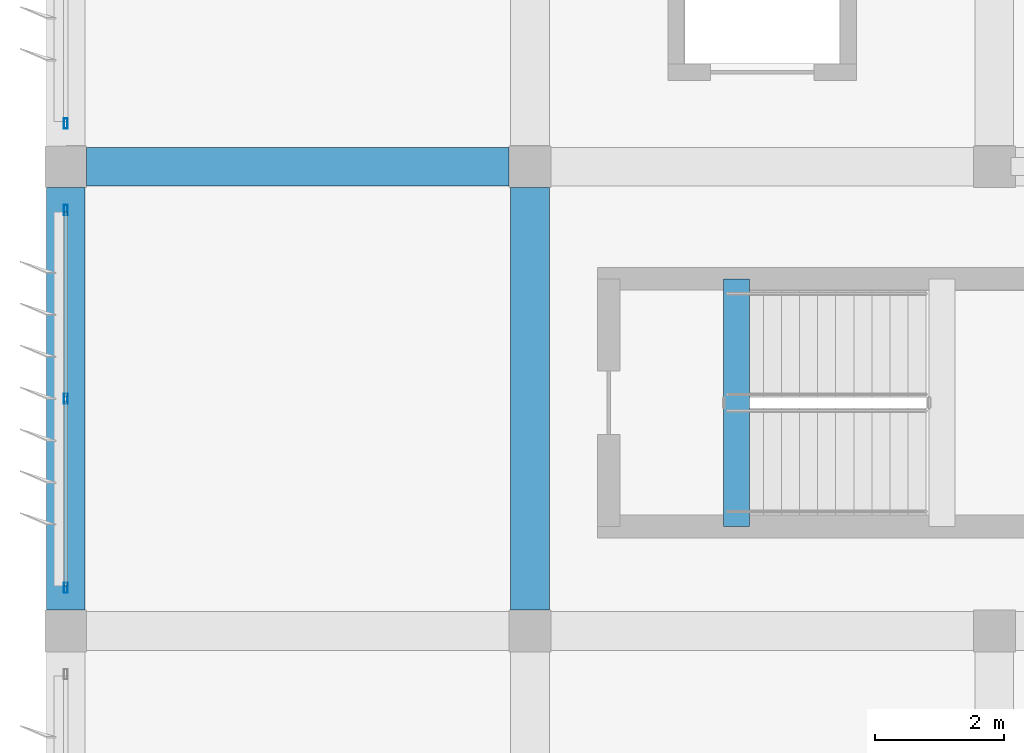
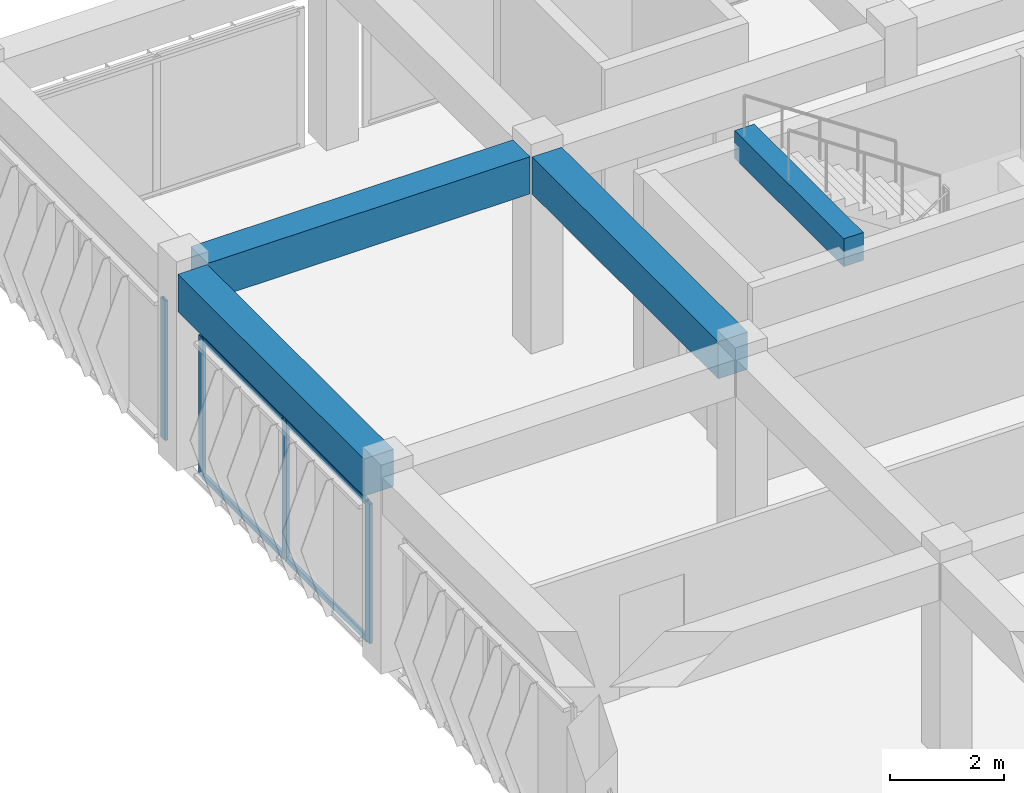
# One storey, part 11 of 56: 8 members, 4 beams, 2 elements without a shape of their own.
"""IFC4 building model written with IfcOpenShell, lengths in metres."""

from ifc_helpers import new_model, si_unit, direction, frame, origin, origin_2d, place, context, subcontext, project, spatial, rectangle, hollow_rectangle, extrude, material, material_profile, profile_set, type_object, element, aggregate, save


model = new_model("IFC4")

# Units and contexts
model_context = context("Model", 3, precision=1e-05, world=origin(), true_north=direction((0.0, 1.0)))
body_context = subcontext(model_context, "Body", "Model", "MODEL_VIEW")
ifc_project = project(units=[si_unit("LENGTHUNIT", "METRE"), si_unit("AREAUNIT", "SQUARE_METRE"), si_unit("VOLUMEUNIT", "CUBIC_METRE"), si_unit("PLANEANGLEUNIT", "RADIAN"), si_unit("MASSUNIT", "GRAM", prefix="KILO")], contexts=[model_context])

# Site, building, storey
site_placement = place(None, origin())
site = spatial("IfcSite", under=ifc_project, at=site_placement, CompositionType="ELEMENT")
building_placement = place(site_placement, origin())
building = spatial("IfcBuilding", under=site, at=building_placement, Name="Kazehaya Institute of Natural Sciences", CompositionType="ELEMENT")
storey_placement = place(building_placement, frame((0.0, 0.0, 28.800048828125)))
storey = spatial("IfcBuildingStorey", under=building, at=storey_placement, Name="L06", CompositionType="ELEMENT", Elevation=28.800048828125)

# Beams
ifc_material_1 = material(Name="Concrete Fc36", Category="concrete")
ifc_material_profile_1 = material_profile(ifc_material_1, rectangle(XDim=0.39990234375, YDim=0.60009765625, at=origin_2d()), Name="RC-400x600")
ifc_profile_set_1 = profile_set([ifc_material_profile_1], Name="Concrete Fc36")
beam_type_1 = type_object("IfcBeamType", Name="BM-B-400x600", PredefinedType="BEAM", material=ifc_profile_set_1)
beam_placement = place(storey_placement, frame((65.0, 22.820068359375, 4.199951171875), z_axis=(0.0, 1.0, 0.0), x_axis=(-1.0, 0.0, 0.0)))
element("IfcBeam", 1, at=beam_placement, inside=storey, type_object=beam_type_1, Name="L07 ST-1 stair header trimmer beam", PredefinedType="BEAM", context=body_context, shape_type="SweptSolid", body=[
    extrude(rectangle(XDim=0.39990234375, YDim=0.60009765625, at=origin_2d()), origin(), (0.0, 0.0, 1.0), 3.83984375),
])
ifc_material_profile_2 = material_profile(ifc_material_1, rectangle(XDim=0.60009765625, YDim=0.800048828125, at=origin_2d()), Name="RC-600x800")
ifc_profile_set_2 = profile_set([ifc_material_profile_2], Name="Concrete Fc36")
beam_type_2 = type_object("IfcBeamType", Name="BM-G-600x800", PredefinedType="BEAM", material=ifc_profile_set_2)
for number, where, z_axis, x_axis, name in (
    (2, (54.925048828125, 28.39990234375, 3.829833984375), (1.0, 0.0, 0.0), (0.0, 1.0, 0.0), "L06 primary X girder BMX-L06-546-284"),
    (3, (54.60009765625, 21.52490234375, 3.829833984375), (0.0, 1.0, 0.0), (-1.0, 0.0, 0.0), "L06 primary Y girder BMY-L06-546-212"),
    (4, (61.800048828125, 21.52490234375, 3.829833984375), (0.0, 1.0, 0.0), (-1.0, 0.0, 0.0), "L06 primary Y girder BMY-L06-618-212"),
):
    element("IfcBeam", number, at=place(storey_placement, frame(where, z_axis=z_axis, x_axis=x_axis)), inside=storey, type_object=beam_type_2, Name=name, PredefinedType="BEAM", context=body_context, shape_type="SweptSolid", body=[
        extrude(rectangle(XDim=0.60009765625, YDim=0.800048828125, at=origin_2d()), origin(), (0.0, 0.0, 1.0), 6.550048828125),
    ])

# Curtain wall, members
ifc_material_2 = material(Name="Aluminium alloy A6063S-T5", Category="aluminium")
curtain_wall_type = type_object("IfcCurtainWallType", Name="CW-SYS-10", PredefinedType="NOTDEFINED", material=ifc_material_2)
curtain_wall_1_placement = place(storey_placement, origin())
curtain_wall_1 = element("IfcCurtainWall", 5, at=curtain_wall_1_placement, inside=storey, type_object=curtain_wall_type, Name="L06 unitised curtain wall CW-L06-144", PredefinedType="NOTDEFINED")
ifc_material_profile_3 = material_profile(ifc_material_2, hollow_rectangle(XDim=0.06005859375, YDim=0.159912109375, WallThickness=0.00390625, at=origin_2d()), Name="ALU-60x160x4")
ifc_profile_set_3 = profile_set([ifc_material_profile_3], Name="Aluminium alloy A6063S-T5")
member_type_1 = type_object("IfcMemberType", Name="CWM-160", PredefinedType="MULLION", material=ifc_profile_set_3)
member_1_placement = place(storey_placement, frame((54.60009765625, 21.8701171875, 0.0), z_axis=(0.0, 0.0, 1.0), x_axis=(-1.0, 0.0, 0.0)))
member_1 = element("IfcMember", 6, at=member_1_placement, type_object=member_type_1, Name="CW10 mullion 1", PredefinedType="MULLION", context=body_context, shape_type="SweptSolid", body=[
    extrude(hollow_rectangle(XDim=0.06005859375, YDim=0.159912109375, WallThickness=0.00390625, at=origin_2d()), origin(), (0.0, 0.0, 1.0), 3.0),
])
member_2_placement = place(storey_placement, frame((54.60009765625, 24.800048828125, 0.0), z_axis=(0.0, 0.0, 1.0), x_axis=(-1.0, 0.0, 0.0)))
member_2 = element("IfcMember", 7, at=member_2_placement, type_object=member_type_1, Name="CW10 mullion 2", PredefinedType="MULLION", context=body_context, shape_type="SweptSolid", body=[
    extrude(hollow_rectangle(XDim=0.06005859375, YDim=0.159912109375, WallThickness=0.00390625, at=origin_2d()), origin(), (0.0, 0.0, 1.0), 3.0),
])
member_3_placement = place(storey_placement, frame((54.60009765625, 27.72998046875, 0.0), z_axis=(0.0, 0.0, 1.0), x_axis=(-1.0, 0.0, 0.0)))
member_3 = element("IfcMember", 8, at=member_3_placement, type_object=member_type_1, Name="CW10 mullion 3", PredefinedType="MULLION", context=body_context, shape_type="SweptSolid", body=[
    extrude(hollow_rectangle(XDim=0.06005859375, YDim=0.159912109375, WallThickness=0.00390625, at=origin_2d()), origin(), (0.0, 0.0, 1.0), 3.0),
])

# Curtain wall, member
curtain_wall_2_placement = place(storey_placement, origin())
curtain_wall_2 = element("IfcCurtainWall", 9, at=curtain_wall_2_placement, inside=storey, type_object=curtain_wall_type, Name="L06 unitised curtain wall CW-L06-146", PredefinedType="NOTDEFINED")
member_4_placement = place(storey_placement, frame((54.60009765625, 29.070068359375, 0.0), z_axis=(0.0, 0.0, 1.0), x_axis=(-1.0, 0.0, 0.0)))
member_4 = element("IfcMember", 10, at=member_4_placement, type_object=member_type_1, Name="CW10 mullion 1", PredefinedType="MULLION", context=body_context, shape_type="SweptSolid", body=[
    extrude(hollow_rectangle(XDim=0.06005859375, YDim=0.159912109375, WallThickness=0.00390625, at=origin_2d()), origin(), (0.0, 0.0, 1.0), 3.0),
])
aggregate(curtain_wall_2, [member_4])

# Member
ifc_material_profile_4 = material_profile(ifc_material_2, hollow_rectangle(XDim=0.06005859375, YDim=0.1201171875, WallThickness=0.00341796875, at=origin_2d()), Name="ALU-60x120x3.5")
ifc_profile_set_4 = profile_set([ifc_material_profile_4], Name="Aluminium alloy A6063S-T5")
member_type_2 = type_object("IfcMemberType", Name="CWT-120", PredefinedType="USERDEFINED", material=ifc_profile_set_4)
member_5_placement = place(storey_placement, frame((54.60009765625, 21.89990234375, 0.030029296875), z_axis=(0.0, 1.0, 0.0), x_axis=(-1.0, 0.0, 0.0)))
member_5 = element("IfcMember", 11, at=member_5_placement, type_object=member_type_2, Name="CW10 transom 1.1", ObjectType="TRANSOM", PredefinedType="USERDEFINED", context=body_context, shape_type="SweptSolid", body=[
    extrude(hollow_rectangle(XDim=0.06005859375, YDim=0.1201171875, WallThickness=0.00341796875, at=origin_2d()), origin(), (0.0, 0.0, 1.0), 2.8701171875),
])

member_6_placement = place(storey_placement, frame((54.60009765625, 21.89990234375, 2.969970703125), z_axis=(0.0, 1.0, 0.0), x_axis=(-1.0, 0.0, 0.0)))
member_6 = element("IfcMember", 12, at=member_6_placement, type_object=member_type_2, Name="CW10 transom 1.2", ObjectType="TRANSOM", PredefinedType="USERDEFINED", context=body_context, shape_type="SweptSolid", body=[
    extrude(hollow_rectangle(XDim=0.06005859375, YDim=0.1201171875, WallThickness=0.00341796875, at=origin_2d()), origin(), (0.0, 0.0, 1.0), 2.8701171875),
])

member_7_placement = place(storey_placement, frame((54.60009765625, 24.830078125, 0.030029296875), z_axis=(0.0, 1.0, 0.0), x_axis=(-1.0, 0.0, 0.0)))
member_7 = element("IfcMember", 13, at=member_7_placement, type_object=member_type_2, Name="CW10 transom 2.1", ObjectType="TRANSOM", PredefinedType="USERDEFINED", context=body_context, shape_type="SweptSolid", body=[
    extrude(hollow_rectangle(XDim=0.06005859375, YDim=0.1201171875, WallThickness=0.00341796875, at=origin_2d()), origin(), (0.0, 0.0, 1.0), 2.869873046875),
])

member_8_placement = place(storey_placement, frame((54.60009765625, 24.830078125, 2.969970703125), z_axis=(0.0, 1.0, 0.0), x_axis=(-1.0, 0.0, 0.0)))
member_8 = element("IfcMember", 14, at=member_8_placement, type_object=member_type_2, Name="CW10 transom 2.2", ObjectType="TRANSOM", PredefinedType="USERDEFINED", context=body_context, shape_type="SweptSolid", body=[
    extrude(hollow_rectangle(XDim=0.06005859375, YDim=0.1201171875, WallThickness=0.00341796875, at=origin_2d()), origin(), (0.0, 0.0, 1.0), 2.869873046875),
])

aggregate(curtain_wall_1, [member_1, member_2, member_3, member_5, member_6, member_7, member_8])

save(model, "model.ifc")
